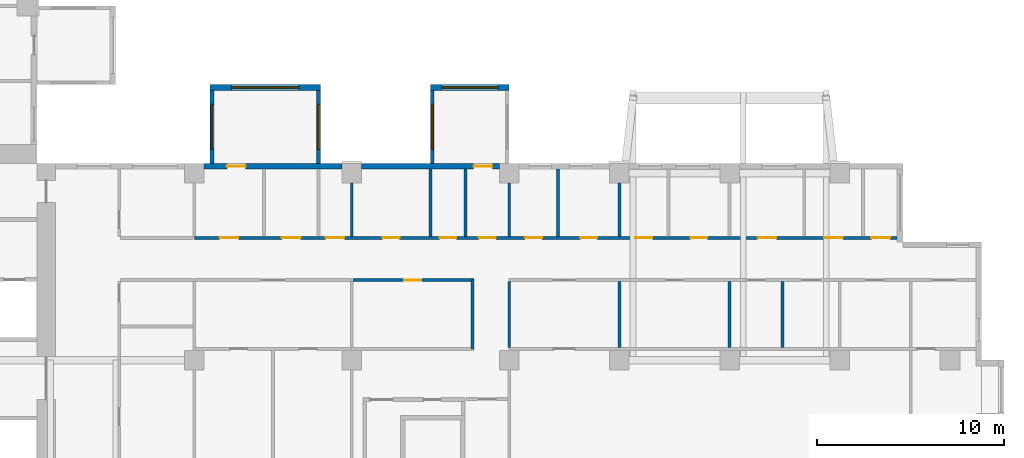
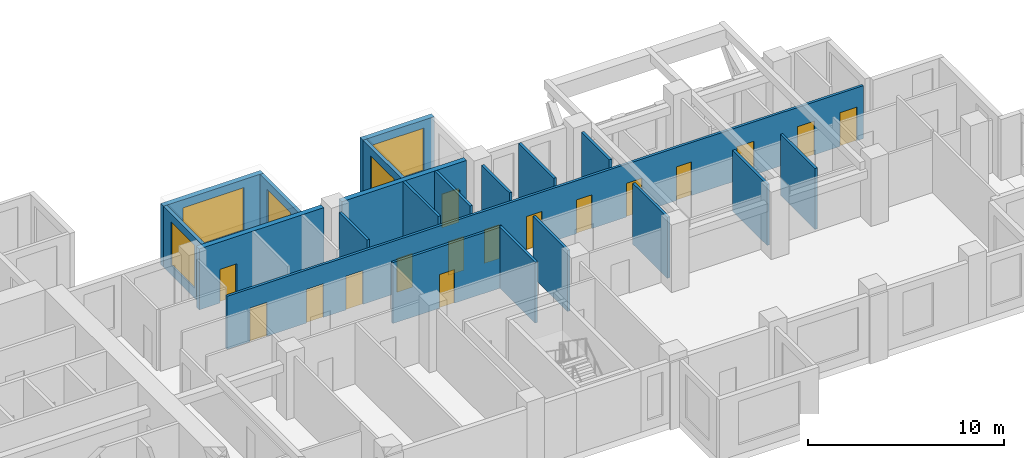
# One storey, part 5 of 15: 20 walls, 16 doors, 5 windows, 21 openings.
"""IFC4 building model written with IfcOpenShell, lengths in metres."""

from ifc_helpers import new_model, si_unit, direction, frame, frame_2d, origin, place, context, subcontext, project, spatial, rectangle, extrude, source, transform, mapped, material, layer, layer_set, type_object, element, fill, save


model = new_model("IFC4")

# Units and contexts
model_context = context("Model", 3, precision=1e-05, world=origin(), true_north=direction((0.0, 1.0)))
body_context = subcontext(model_context, "Body", "Model", "MODEL_VIEW")
ifc_project = project(units=[si_unit("LENGTHUNIT", "METRE"), si_unit("AREAUNIT", "SQUARE_METRE"), si_unit("VOLUMEUNIT", "CUBIC_METRE"), si_unit("PLANEANGLEUNIT", "RADIAN"), si_unit("MASSUNIT", "GRAM", prefix="KILO")], contexts=[model_context])

# Site, building, storey
site_placement = place(None, origin())
site = spatial("IfcSite", under=ifc_project, at=site_placement, CompositionType="ELEMENT")
building_placement = place(site_placement, origin())
building = spatial("IfcBuilding", under=site, at=building_placement, Name="Aurelian Terraces", CompositionType="ELEMENT")
storey_placement = place(building_placement, frame((0.0, 0.0, 107.7)))
storey = spatial("IfcBuildingStorey", under=building, at=storey_placement, Name="L23", CompositionType="ELEMENT", Elevation=107.7)

# Wall
ifc_material_1 = material(Name="Gypsum board on steel studs", Category="steel")
ifc_layer_1 = layer(ifc_material_1, 0.15)
ifc_layer_set_1 = layer_set([ifc_layer_1], Name="Partition 150")
wall_type_1 = type_object("IfcWallType", Name="Partition 150", PredefinedType="PARTITIONING", material=ifc_layer_set_1)
wall_1_placement = place(storey_placement, frame((44.25, 11.1, 0.0), z_axis=(0.0, 0.0, 1.0), x_axis=(0.0, 1.0, 0.0)))
element("IfcWall", 1, at=wall_1_placement, inside=storey, type_object=wall_type_1, Name="Partition", PredefinedType="PARTITIONING", context=body_context, shape_type="SweptSolid", body=[
    extrude(rectangle(XDim=3.675, YDim=0.15, at=frame_2d((1.8375, 0.0))), origin(), (0.0, 0.0, 1.0), 3.8),
])

# Wall, opening, window
ifc_material_2 = material(Name="Concrete fc' 40 MPa", Category="concrete")
ifc_layer_2 = layer(ifc_material_2, 0.2)
ifc_layer_set_2 = layer_set([ifc_layer_2], Name="BOX BEARING WALL 200")
wall_type_2 = type_object("IfcWallType", Name="BOX BEARING WALL 200", PredefinedType="SOLIDWALL", material=ifc_layer_set_2)
shared_shape_1 = source(origin(), body_context, "Body", "SweptSolid", [
    extrude(rectangle(XDim=3.9, YDim=0.2, at=frame_2d((1.95, 0.0))), origin(), (0.0, 0.0, 1.0), 3.8),
])
wall_2_placement = place(storey_placement, frame((36.02, 21.0, 0.0), z_axis=(0.0, 0.0, 1.0), x_axis=(0.0, 1.0, 0.0)))
wall_2 = element("IfcWall", 2, at=wall_2_placement, inside=storey, type_object=wall_type_2, Name="Box return L23 J29.1", PredefinedType="SOLIDWALL", context=body_context, shape_type="MappedRepresentation", body=[
    mapped(shared_shape_1, transform((0.0, 0.0, 0.0), scale=1.0)),
])
shared_shape_2 = source(origin(), body_context, "Body", "SweptSolid", [
    extrude(rectangle(XDim=2.4, YDim=2.7, at=frame_2d((1.2, 1.35))), frame((0.0, 0.11, 0.0), z_axis=(0.0, -1.0, 0.0), x_axis=(1.0, 0.0, 0.0)), (0.0, 0.0, 1.0), 0.22),
])
opening_1_placement = place(wall_2_placement, frame((0.75, 0.0, 0.6)))
opening_1 = element("IfcOpeningElement", 3, at=opening_1_placement, cuts=wall_2, Name="Opening W2427", PredefinedType="OPENING", context=body_context, shape_type="MappedRepresentation", body=[
    mapped(shared_shape_2, transform((0.0, 0.0, 0.0), scale=1.0)),
])
ifc_material_3 = material(Name="Clear glazing", Category="glass")
window_type_1 = type_object("IfcWindowType", Name="W-2400x2700", PartitioningType="SINGLE_PANEL", PredefinedType="WINDOW", material=ifc_material_3)
shared_shape_3 = source(origin(), body_context, "Body", "SweptSolid", [
    extrude(rectangle(XDim=2.4, YDim=2.7, at=frame_2d((1.2, 1.35))), frame((0.0, 0.03, 0.0), z_axis=(0.0, -1.0, 0.0), x_axis=(1.0, 0.0, 0.0)), (0.0, 0.0, 1.0), 0.06),
])
window_1_placement = place(opening_1_placement, origin())
window_1 = element("IfcWindow", 4, at=window_1_placement, inside=storey, type_object=window_type_1, Name="Window L23 J29-S1", OverallHeight=2.7, OverallWidth=2.4, PartitioningType="SINGLE_PANEL", PredefinedType="WINDOW", context=body_context, shape_type="MappedRepresentation", body=[
    mapped(shared_shape_3, transform((0.0, 0.0, 0.0), scale=1.0)),
])
fill(opening_1, window_1)

wall_3_placement = place(storey_placement, frame((30.34, 21.0, 0.0), z_axis=(0.0, 0.0, 1.0), x_axis=(0.0, 1.0, 0.0)))
wall_3 = element("IfcWall", 5, at=wall_3_placement, inside=storey, type_object=wall_type_2, Name="Box return L23 J29.2", PredefinedType="SOLIDWALL", context=body_context, shape_type="MappedRepresentation", body=[
    mapped(shared_shape_1, transform((0.0, 0.0, 0.0), scale=1.0)),
])
opening_2_placement = place(wall_3_placement, frame((0.75, 0.0, 0.6)))
opening_2 = element("IfcOpeningElement", 6, at=opening_2_placement, cuts=wall_3, Name="Opening W2427", PredefinedType="OPENING", context=body_context, shape_type="MappedRepresentation", body=[
    mapped(shared_shape_2, transform((0.0, 0.0, 0.0), scale=1.0)),
])
window_2_placement = place(opening_2_placement, origin())
window_2 = element("IfcWindow", 7, at=window_2_placement, inside=storey, type_object=window_type_1, Name="Window L23 J29-S2", OverallHeight=2.7, OverallWidth=2.4, PartitioningType="SINGLE_PANEL", PredefinedType="WINDOW", context=body_context, shape_type="MappedRepresentation", body=[
    mapped(shared_shape_3, transform((0.0, 0.0, 0.0), scale=1.0)),
])
fill(opening_2, window_2)

wall_4_placement = place(storey_placement, frame((42.1, 21.0, 0.0), z_axis=(0.0, 0.0, 1.0), x_axis=(0.0, 1.0, 0.0)))
wall_4 = element("IfcWall", 8, at=wall_4_placement, inside=storey, type_object=wall_type_2, Name="Box return L23 J30.2", PredefinedType="SOLIDWALL", context=body_context, shape_type="MappedRepresentation", body=[
    mapped(shared_shape_1, transform((0.0, 0.0, 0.0), scale=1.0)),
])
opening_3_placement = place(wall_4_placement, frame((0.75, 0.0, 0.6)))
opening_3 = element("IfcOpeningElement", 9, at=opening_3_placement, cuts=wall_4, Name="Opening W2427", PredefinedType="OPENING", context=body_context, shape_type="MappedRepresentation", body=[
    mapped(shared_shape_2, transform((0.0, 0.0, 0.0), scale=1.0)),
])
window_3_placement = place(opening_3_placement, origin())
window_3 = element("IfcWindow", 10, at=window_3_placement, inside=storey, type_object=window_type_1, Name="Window L23 J30-S2", OverallHeight=2.7, OverallWidth=2.4, PartitioningType="SINGLE_PANEL", PredefinedType="WINDOW", context=body_context, shape_type="MappedRepresentation", body=[
    mapped(shared_shape_3, transform((0.0, 0.0, 0.0), scale=1.0)),
])
fill(opening_3, window_3)

ifc_layer_3 = layer(ifc_material_2, 0.3)
ifc_layer_set_3 = layer_set([ifc_layer_3], Name="BOX BEARING WALL 300")
wall_type_3 = type_object("IfcWallType", Name="BOX BEARING WALL 300", PredefinedType="SOLIDWALL", material=ifc_layer_set_3)
shared_shape_4 = source(origin(), body_context, "Body", "SweptSolid", [
    extrude(rectangle(XDim=5.88, YDim=0.3, at=frame_2d((2.94, 0.0))), origin(), (0.0, 0.0, 1.0), 3.8),
])
wall_5_placement = place(storey_placement, frame((36.12, 25.05, 0.0), z_axis=(0.0, 0.0, 1.0), x_axis=(-1.0, 0.0, 0.0)))
wall_5 = element("IfcWall", 11, at=wall_5_placement, inside=storey, type_object=wall_type_3, Name="Box wall L23 J29", PredefinedType="SOLIDWALL", context=body_context, shape_type="MappedRepresentation", body=[
    mapped(shared_shape_4, transform((0.0, 0.0, 0.0), scale=1.0)),
])
shared_shape_5 = source(origin(), body_context, "Body", "SweptSolid", [
    extrude(rectangle(XDim=3.6, YDim=2.7, at=frame_2d((1.8, 1.35))), frame((0.0, 0.16, 0.0), z_axis=(0.0, -1.0, 0.0), x_axis=(1.0, 0.0, 0.0)), (0.0, 0.0, 1.0), 0.32),
])
opening_4_placement = place(wall_5_placement, frame((1.14, 0.0, 0.6)))
opening_4 = element("IfcOpeningElement", 12, at=opening_4_placement, cuts=wall_5, Name="Opening W3627", PredefinedType="OPENING", context=body_context, shape_type="MappedRepresentation", body=[
    mapped(shared_shape_5, transform((0.0, 0.0, 0.0), scale=1.0)),
])
window_type_2 = type_object("IfcWindowType", Name="W-3600x2700", PartitioningType="SINGLE_PANEL", PredefinedType="WINDOW", material=ifc_material_3)
shared_shape_6 = source(origin(), body_context, "Body", "SweptSolid", [
    extrude(rectangle(XDim=3.6, YDim=2.7, at=frame_2d((1.8, 1.35))), frame((0.0, 0.03, 0.0), z_axis=(0.0, -1.0, 0.0), x_axis=(1.0, 0.0, 0.0)), (0.0, 0.0, 1.0), 0.06),
])
window_4_placement = place(opening_4_placement, origin())
window_4 = element("IfcWindow", 13, at=window_4_placement, inside=storey, type_object=window_type_2, Name="Window L23 J29-F1", OverallHeight=2.7, OverallWidth=3.6, PartitioningType="SINGLE_PANEL", PredefinedType="WINDOW", context=body_context, shape_type="MappedRepresentation", body=[
    mapped(shared_shape_6, transform((0.0, 0.0, 0.0), scale=1.0)),
])
fill(opening_4, window_4)

shared_shape_7 = source(origin(), body_context, "Body", "SweptSolid", [
    extrude(rectangle(XDim=4.2, YDim=0.3, at=frame_2d((2.1, 0.0))), origin(), (0.0, 0.0, 1.0), 3.8),
])
wall_6_placement = place(storey_placement, frame((46.2, 25.05, 0.0), z_axis=(0.0, 0.0, 1.0), x_axis=(-1.0, 0.0, 0.0)))
wall_6 = element("IfcWall", 14, at=wall_6_placement, inside=storey, type_object=wall_type_3, Name="Box wall L23 J30", PredefinedType="SOLIDWALL", context=body_context, shape_type="MappedRepresentation", body=[
    mapped(shared_shape_7, transform((0.0, 0.0, 0.0), scale=1.0)),
])
shared_shape_8 = source(origin(), body_context, "Body", "SweptSolid", [
    extrude(rectangle(XDim=3.0, YDim=2.7, at=frame_2d((1.5, 1.35))), frame((0.0, 0.16, 0.0), z_axis=(0.0, -1.0, 0.0), x_axis=(1.0, 0.0, 0.0)), (0.0, 0.0, 1.0), 0.32),
])
opening_5_placement = place(wall_6_placement, frame((0.6, 0.0, 0.6)))
opening_5 = element("IfcOpeningElement", 15, at=opening_5_placement, cuts=wall_6, Name="Opening W3027", PredefinedType="OPENING", context=body_context, shape_type="MappedRepresentation", body=[
    mapped(shared_shape_8, transform((0.0, 0.0, 0.0), scale=1.0)),
])
window_type_3 = type_object("IfcWindowType", Name="W-3000x2700", PartitioningType="SINGLE_PANEL", PredefinedType="WINDOW", material=ifc_material_3)
shared_shape_9 = source(origin(), body_context, "Body", "SweptSolid", [
    extrude(rectangle(XDim=3.0, YDim=2.7, at=frame_2d((1.5, 1.35))), frame((0.0, 0.03, 0.0), z_axis=(0.0, -1.0, 0.0), x_axis=(1.0, 0.0, 0.0)), (0.0, 0.0, 1.0), 0.06),
])
window_5_placement = place(opening_5_placement, origin())
window_5 = element("IfcWindow", 16, at=window_5_placement, inside=storey, type_object=window_type_3, Name="Window L23 J30-F1", OverallHeight=2.7, OverallWidth=3.0, PartitioningType="SINGLE_PANEL", PredefinedType="WINDOW", context=body_context, shape_type="MappedRepresentation", body=[
    mapped(shared_shape_9, transform((0.0, 0.0, 0.0), scale=1.0)),
])
fill(opening_5, window_5)

# Wall, opening, door
ifc_material_4 = material(Name="Terracotta rainscreen cladding", Category="masonry")
ifc_layer_4 = layer(ifc_material_4, 0.3)
ifc_layer_set_4 = layer_set([ifc_layer_4], Name="EW-300")
wall_type_4 = type_object("IfcWallType", Name="EW-300", PredefinedType="STANDARD", material=ifc_layer_set_4)
shared_shape_10 = source(origin(), body_context, "Body", "SweptSolid", [
    extrude(rectangle(XDim=7.35, YDim=0.3, at=frame_2d((3.675, 0.0))), origin(), (0.0, 0.0, 1.0), 3.8),
])
wall_7_placement = place(storey_placement, frame((45.675, 20.85, 0.0), z_axis=(0.0, 0.0, 1.0), x_axis=(-1.0, 0.0, 0.0)))
wall_7 = element("IfcWall", 17, at=wall_7_placement, inside=storey, type_object=wall_type_4, Name="External wall L23 F07.20", PredefinedType="STANDARD", context=body_context, shape_type="MappedRepresentation", body=[
    mapped(shared_shape_10, transform((0.0, 0.0, 0.0), scale=1.0)),
])
shared_shape_11 = source(origin(), body_context, "Body", "SweptSolid", [
    extrude(rectangle(XDim=1.0, YDim=2.1, at=frame_2d((0.5, 1.05))), frame((0.0, 0.16, 0.0), z_axis=(0.0, -1.0, 0.0), x_axis=(1.0, 0.0, 0.0)), (0.0, 0.0, 1.0), 0.32),
])
opening_6_placement = place(wall_7_placement, frame((0.375, 0.0, 0.0)))
opening_6 = element("IfcOpeningElement", 18, at=opening_6_placement, cuts=wall_7, Name="Opening 823002", PredefinedType="OPENING", context=body_context, shape_type="MappedRepresentation", body=[
    mapped(shared_shape_11, transform((0.0, 0.0, 0.0), scale=1.0)),
])
ifc_material_5 = material(Name="Timber door leaf", Category="wood")
door_type_1 = type_object("IfcDoorType", Name="Room door 1000x2100 left", OperationType="SINGLE_SWING_LEFT", PredefinedType="DOOR", material=ifc_material_5)
shared_shape_12 = source(origin(), body_context, "Body", "SweptSolid", [
    extrude(rectangle(XDim=1.0, YDim=2.1, at=frame_2d((0.5, 1.05))), frame((0.0, 0.025, 0.0), z_axis=(0.0, -1.0, 0.0), x_axis=(1.0, 0.0, 0.0)), (0.0, 0.0, 1.0), 0.05),
])
door_1_placement = place(opening_6_placement, origin())
door_1 = element("IfcDoor", 19, at=door_1_placement, inside=storey, type_object=door_type_1, Name="Door 823002", OperationType="SINGLE_SWING_LEFT", OverallHeight=2.1, OverallWidth=1.0, PredefinedType="DOOR", context=body_context, shape_type="MappedRepresentation", body=[
    mapped(shared_shape_12, transform((0.0, 0.0, 0.0), scale=1.0)),
])
fill(opening_6, door_1)

wall_8_placement = place(storey_placement, frame((37.275, 20.85, 0.0), z_axis=(0.0, 0.0, 1.0), x_axis=(-1.0, 0.0, 0.0)))
wall_8 = element("IfcWall", 20, at=wall_8_placement, inside=storey, type_object=wall_type_4, Name="External wall L23 F07.20", PredefinedType="STANDARD", context=body_context, shape_type="MappedRepresentation", body=[
    mapped(shared_shape_10, transform((0.0, 0.0, 0.0), scale=1.0)),
])
opening_7_placement = place(wall_8_placement, frame((5.135, 0.0, 0.0)))
opening_7 = element("IfcOpeningElement", 21, at=opening_7_placement, cuts=wall_8, Name="Opening 823001", PredefinedType="OPENING", context=body_context, shape_type="MappedRepresentation", body=[
    mapped(shared_shape_11, transform((0.0, 0.0, 0.0), scale=1.0)),
])
door_2_placement = place(opening_7_placement, origin())
door_2 = element("IfcDoor", 22, at=door_2_placement, inside=storey, type_object=door_type_1, Name="Door 823001", OperationType="SINGLE_SWING_LEFT", OverallHeight=2.1, OverallWidth=1.0, PredefinedType="DOOR", context=body_context, shape_type="MappedRepresentation", body=[
    mapped(shared_shape_12, transform((0.0, 0.0, 0.0), scale=1.0)),
])
fill(opening_7, door_2)

ifc_layer_5 = layer(ifc_material_1, 0.15)
ifc_layer_set_5 = layer_set([ifc_layer_5], Name="Fire partition 150")
wall_type_5 = type_object("IfcWallType", Name="Fire partition 150", PredefinedType="PARTITIONING", material=ifc_layer_set_5)
shared_shape_13 = source(origin(), body_context, "Body", "SweptSolid", [
    extrude(rectangle(XDim=6.45, YDim=0.15, at=frame_2d((3.225, 0.0))), origin(), (0.0, 0.0, 1.0), 3.8),
])
wall_9_placement = place(storey_placement, frame((44.325, 14.775, 0.0), z_axis=(0.0, 0.0, 1.0), x_axis=(-1.0, 0.0, 0.0)))
wall_9 = element("IfcWall", 23, at=wall_9_placement, inside=storey, type_object=wall_type_5, Name="Corridor wall", PredefinedType="PARTITIONING", context=body_context, shape_type="MappedRepresentation", body=[
    mapped(shared_shape_13, transform((0.0, 0.0, 0.0), scale=1.0)),
])
shared_shape_14 = source(origin(), body_context, "Body", "SweptSolid", [
    extrude(rectangle(XDim=0.9, YDim=2.1, at=frame_2d((0.45, 1.05))), frame((0.0, 0.085, 0.0), z_axis=(0.0, -1.0, 0.0), x_axis=(1.0, 0.0, 0.0)), (0.0, 0.0, 1.0), 0.17),
])
opening_8_placement = place(wall_9_placement, frame((2.8125, 0.0, 0.0)))
opening_8 = element("IfcOpeningElement", 24, at=opening_8_placement, cuts=wall_9, Name="Opening 723005", PredefinedType="OPENING", context=body_context, shape_type="MappedRepresentation", body=[
    mapped(shared_shape_14, transform((0.0, 0.0, 0.0), scale=1.0)),
])
door_type_2 = type_object("IfcDoorType", Name="Room door 900x2100 right", OperationType="SINGLE_SWING_RIGHT", PredefinedType="DOOR", material=ifc_material_5)
shared_shape_15 = source(origin(), body_context, "Body", "SweptSolid", [
    extrude(rectangle(XDim=0.9, YDim=2.1, at=frame_2d((0.45, 1.05))), frame((0.0, 0.025, 0.0), z_axis=(0.0, -1.0, 0.0), x_axis=(1.0, 0.0, 0.0)), (0.0, 0.0, 1.0), 0.05),
])
door_3_placement = place(opening_8_placement, origin())
door_3 = element("IfcDoor", 25, at=door_3_placement, inside=storey, type_object=door_type_2, Name="Door 723005", OperationType="SINGLE_SWING_RIGHT", OverallHeight=2.1, OverallWidth=0.9, PredefinedType="DOOR", context=body_context, shape_type="MappedRepresentation", body=[
    mapped(shared_shape_15, transform((0.0, 0.0, 0.0), scale=1.0)),
])
fill(opening_8, door_3)

# Walls
shared_shape_16 = source(origin(), body_context, "Body", "SweptSolid", [
    extrude(rectangle(XDim=3.6, YDim=0.15, at=frame_2d((1.8, 0.0))), origin(), (0.0, 0.0, 1.0), 3.8),
])
for number, where, z_axis, x_axis, name in (
    (26, (43.8679, 20.7, 0.0), (0.0, 0.0, 1.0), (0.0, -1.0, 0.0), "Partition"),
    (27, (48.8116, 20.7, 0.0), (0.0, 0.0, 1.0), (0.0, -1.0, 0.0), "Partition"),
    (28, (42.0, 17.1, 0.0), (0.0, 0.0, 1.0), (0.0, 1.0, 0.0), "Partition"),
):
    element("IfcWall", number, at=place(storey_placement, frame(where, z_axis=z_axis, x_axis=x_axis)), inside=storey, type_object=wall_type_1, Name=name, PredefinedType="PARTITIONING", context=body_context, shape_type="MappedRepresentation", body=[
        mapped(shared_shape_16, transform((0.0, 0.0, 0.0), scale=1.0)),
    ])

# Wall, openings, doors
shared_shape_17 = source(origin(), body_context, "Body", "SweptSolid", [
    extrude(rectangle(XDim=37.5, YDim=0.15, at=frame_2d((18.75, 0.0))), origin(), (0.0, 0.0, 1.0), 3.3),
])
wall_10_placement = place(storey_placement, frame((29.4, 17.025, 0.0), z_axis=(0.0, 0.0, 1.0), x_axis=(1.0, 0.0, 0.0)))
wall_10 = element("IfcWall", 29, at=wall_10_placement, inside=storey, type_object=wall_type_5, Name="Corridor wall", PredefinedType="PARTITIONING", context=body_context, shape_type="MappedRepresentation", body=[
    mapped(shared_shape_17, transform((0.0, 0.0, 0.0), scale=1.0)),
])
shared_shape_18 = source(origin(), body_context, "Body", "SweptSolid", [
    extrude(rectangle(XDim=1.0, YDim=2.1, at=frame_2d((0.5, 1.05))), frame((0.0, 0.085, 0.0), z_axis=(0.0, -1.0, 0.0), x_axis=(1.0, 0.0, 0.0)), (0.0, 0.0, 1.0), 0.17),
])
opening_9_placement = place(wall_10_placement, frame((1.3567, 0.0, 0.0)))
opening_9 = element("IfcOpeningElement", 30, at=opening_9_placement, cuts=wall_10, Name="Opening 723018", PredefinedType="OPENING", context=body_context, shape_type="MappedRepresentation", body=[
    mapped(shared_shape_18, transform((0.0, 0.0, 0.0), scale=1.0)),
])
opening_10_placement = place(wall_10_placement, frame((4.6686, 0.0, 0.0)))
opening_10 = element("IfcOpeningElement", 31, at=opening_10_placement, cuts=wall_10, Name="Opening 723019", PredefinedType="OPENING", context=body_context, shape_type="MappedRepresentation", body=[
    mapped(shared_shape_18, transform((0.0, 0.0, 0.0), scale=1.0)),
])
opening_11_placement = place(wall_10_placement, frame((7.012, 0.0, 0.0)))
opening_11 = element("IfcOpeningElement", 32, at=opening_11_placement, cuts=wall_10, Name="Opening 723020", PredefinedType="OPENING", context=body_context, shape_type="MappedRepresentation", body=[
    mapped(shared_shape_18, transform((0.0, 0.0, 0.0), scale=1.0)),
])
opening_12_placement = place(wall_10_placement, frame((10.05, 0.0, 0.0)))
opening_12 = element("IfcOpeningElement", 33, at=opening_12_placement, cuts=wall_10, Name="Opening 723021", PredefinedType="OPENING", context=body_context, shape_type="MappedRepresentation", body=[
    mapped(shared_shape_14, transform((0.0, 0.0, 0.0), scale=1.0)),
])
opening_13_placement = place(wall_10_placement, frame((13.0839, 0.0, 0.0)))
opening_13 = element("IfcOpeningElement", 34, at=opening_13_placement, cuts=wall_10, Name="Opening 723022", PredefinedType="OPENING", context=body_context, shape_type="MappedRepresentation", body=[
    mapped(shared_shape_14, transform((0.0, 0.0, 0.0), scale=1.0)),
])
opening_14_placement = place(wall_10_placement, frame((15.1839, 0.0, 0.0)))
opening_14 = element("IfcOpeningElement", 35, at=opening_14_placement, cuts=wall_10, Name="Opening 723023", PredefinedType="OPENING", context=body_context, shape_type="MappedRepresentation", body=[
    mapped(shared_shape_14, transform((0.0, 0.0, 0.0), scale=1.0)),
])
opening_15_placement = place(wall_10_placement, frame((17.6558, 0.0, 0.0)))
opening_15 = element("IfcOpeningElement", 36, at=opening_15_placement, cuts=wall_10, Name="Opening 723024", PredefinedType="OPENING", context=body_context, shape_type="MappedRepresentation", body=[
    mapped(shared_shape_14, transform((0.0, 0.0, 0.0), scale=1.0)),
])
opening_16_placement = place(wall_10_placement, frame((20.5958, 0.0, 0.0)))
opening_16 = element("IfcOpeningElement", 37, at=opening_16_placement, cuts=wall_10, Name="Opening 723025", PredefinedType="OPENING", context=body_context, shape_type="MappedRepresentation", body=[
    mapped(shared_shape_14, transform((0.0, 0.0, 0.0), scale=1.0)),
])
opening_17_placement = place(wall_10_placement, frame((23.5358, 0.0, 0.0)))
opening_17 = element("IfcOpeningElement", 38, at=opening_17_placement, cuts=wall_10, Name="Opening 723026", PredefinedType="OPENING", context=body_context, shape_type="MappedRepresentation", body=[
    mapped(shared_shape_14, transform((0.0, 0.0, 0.0), scale=1.0)),
])
opening_18_placement = place(wall_10_placement, frame((26.4758, 0.0, 0.0)))
opening_18 = element("IfcOpeningElement", 39, at=opening_18_placement, cuts=wall_10, Name="Opening 723027", PredefinedType="OPENING", context=body_context, shape_type="MappedRepresentation", body=[
    mapped(shared_shape_14, transform((0.0, 0.0, 0.0), scale=1.0)),
])
opening_19_placement = place(wall_10_placement, frame((30.0523, 0.0, 0.0)))
opening_19 = element("IfcOpeningElement", 40, at=opening_19_placement, cuts=wall_10, Name="Opening 723028", PredefinedType="OPENING", context=body_context, shape_type="MappedRepresentation", body=[
    mapped(shared_shape_18, transform((0.0, 0.0, 0.0), scale=1.0)),
])
opening_20_placement = place(wall_10_placement, frame((33.6084, 0.0, 0.0)))
opening_20 = element("IfcOpeningElement", 41, at=opening_20_placement, cuts=wall_10, Name="Opening 723029", PredefinedType="OPENING", context=body_context, shape_type="MappedRepresentation", body=[
    mapped(shared_shape_18, transform((0.0, 0.0, 0.0), scale=1.0)),
])
opening_21_placement = place(wall_10_placement, frame((36.1236, 0.0, 0.0)))
opening_21 = element("IfcOpeningElement", 42, at=opening_21_placement, cuts=wall_10, Name="Opening 723030", PredefinedType="OPENING", context=body_context, shape_type="MappedRepresentation", body=[
    mapped(shared_shape_18, transform((0.0, 0.0, 0.0), scale=1.0)),
])
door_4_placement = place(opening_9_placement, origin())
door_4 = element("IfcDoor", 43, at=door_4_placement, inside=storey, type_object=door_type_1, Name="Door 723018", OperationType="SINGLE_SWING_LEFT", OverallHeight=2.1, OverallWidth=1.0, PredefinedType="DOOR", context=body_context, shape_type="MappedRepresentation", body=[
    mapped(shared_shape_12, transform((0.0, 0.0, 0.0), scale=1.0)),
])
fill(opening_9, door_4)
door_type_3 = type_object("IfcDoorType", Name="Room door 1000x2100 right", OperationType="SINGLE_SWING_RIGHT", PredefinedType="DOOR", material=ifc_material_5)
door_5_placement = place(opening_10_placement, origin())
door_5 = element("IfcDoor", 44, at=door_5_placement, inside=storey, type_object=door_type_3, Name="Door 723019", OperationType="SINGLE_SWING_RIGHT", OverallHeight=2.1, OverallWidth=1.0, PredefinedType="DOOR", context=body_context, shape_type="MappedRepresentation", body=[
    mapped(shared_shape_12, transform((0.0, 0.0, 0.0), scale=1.0)),
])
fill(opening_10, door_5)
door_6_placement = place(opening_11_placement, origin())
door_6 = element("IfcDoor", 45, at=door_6_placement, inside=storey, type_object=door_type_1, Name="Door 723020", OperationType="SINGLE_SWING_LEFT", OverallHeight=2.1, OverallWidth=1.0, PredefinedType="DOOR", context=body_context, shape_type="MappedRepresentation", body=[
    mapped(shared_shape_12, transform((0.0, 0.0, 0.0), scale=1.0)),
])
fill(opening_11, door_6)
door_7_placement = place(opening_19_placement, origin())
door_7 = element("IfcDoor", 46, at=door_7_placement, inside=storey, type_object=door_type_1, Name="Door 723028", OperationType="SINGLE_SWING_LEFT", OverallHeight=2.1, OverallWidth=1.0, PredefinedType="DOOR", context=body_context, shape_type="MappedRepresentation", body=[
    mapped(shared_shape_12, transform((0.0, 0.0, 0.0), scale=1.0)),
])
fill(opening_19, door_7)
door_8_placement = place(opening_20_placement, origin())
door_8 = element("IfcDoor", 47, at=door_8_placement, inside=storey, type_object=door_type_3, Name="Door 723029", OperationType="SINGLE_SWING_RIGHT", OverallHeight=2.1, OverallWidth=1.0, PredefinedType="DOOR", context=body_context, shape_type="MappedRepresentation", body=[
    mapped(shared_shape_12, transform((0.0, 0.0, 0.0), scale=1.0)),
])
fill(opening_20, door_8)
door_9_placement = place(opening_21_placement, origin())
door_9 = element("IfcDoor", 48, at=door_9_placement, inside=storey, type_object=door_type_1, Name="Door 723030", OperationType="SINGLE_SWING_LEFT", OverallHeight=2.1, OverallWidth=1.0, PredefinedType="DOOR", context=body_context, shape_type="MappedRepresentation", body=[
    mapped(shared_shape_12, transform((0.0, 0.0, 0.0), scale=1.0)),
])
fill(opening_21, door_9)
door_type_4 = type_object("IfcDoorType", Name="Room door 900x2100 left", OperationType="SINGLE_SWING_LEFT", PredefinedType="DOOR", material=ifc_material_5)
door_10_placement = place(opening_12_placement, origin())
door_10 = element("IfcDoor", 49, at=door_10_placement, inside=storey, type_object=door_type_4, Name="Door 723021", OperationType="SINGLE_SWING_LEFT", OverallHeight=2.1, OverallWidth=0.9, PredefinedType="DOOR", context=body_context, shape_type="MappedRepresentation", body=[
    mapped(shared_shape_15, transform((0.0, 0.0, 0.0), scale=1.0)),
])
fill(opening_12, door_10)
door_11_placement = place(opening_13_placement, origin())
door_11 = element("IfcDoor", 50, at=door_11_placement, inside=storey, type_object=door_type_4, Name="Door 723022", OperationType="SINGLE_SWING_LEFT", OverallHeight=2.1, OverallWidth=0.9, PredefinedType="DOOR", context=body_context, shape_type="MappedRepresentation", body=[
    mapped(shared_shape_15, transform((0.0, 0.0, 0.0), scale=1.0)),
])
fill(opening_13, door_11)
door_12_placement = place(opening_14_placement, origin())
door_12 = element("IfcDoor", 51, at=door_12_placement, inside=storey, type_object=door_type_2, Name="Door 723023", OperationType="SINGLE_SWING_RIGHT", OverallHeight=2.1, OverallWidth=0.9, PredefinedType="DOOR", context=body_context, shape_type="MappedRepresentation", body=[
    mapped(shared_shape_15, transform((0.0, 0.0, 0.0), scale=1.0)),
])
fill(opening_14, door_12)
door_13_placement = place(opening_15_placement, origin())
door_13 = element("IfcDoor", 52, at=door_13_placement, inside=storey, type_object=door_type_4, Name="Door 723024", OperationType="SINGLE_SWING_LEFT", OverallHeight=2.1, OverallWidth=0.9, PredefinedType="DOOR", context=body_context, shape_type="MappedRepresentation", body=[
    mapped(shared_shape_15, transform((0.0, 0.0, 0.0), scale=1.0)),
])
fill(opening_15, door_13)
door_14_placement = place(opening_16_placement, origin())
door_14 = element("IfcDoor", 53, at=door_14_placement, inside=storey, type_object=door_type_2, Name="Door 723025", OperationType="SINGLE_SWING_RIGHT", OverallHeight=2.1, OverallWidth=0.9, PredefinedType="DOOR", context=body_context, shape_type="MappedRepresentation", body=[
    mapped(shared_shape_15, transform((0.0, 0.0, 0.0), scale=1.0)),
])
fill(opening_16, door_14)
door_15_placement = place(opening_17_placement, origin())
door_15 = element("IfcDoor", 54, at=door_15_placement, inside=storey, type_object=door_type_4, Name="Door 723026", OperationType="SINGLE_SWING_LEFT", OverallHeight=2.1, OverallWidth=0.9, PredefinedType="DOOR", context=body_context, shape_type="MappedRepresentation", body=[
    mapped(shared_shape_15, transform((0.0, 0.0, 0.0), scale=1.0)),
])
fill(opening_17, door_15)
door_16_placement = place(opening_18_placement, origin())
door_16 = element("IfcDoor", 55, at=door_16_placement, inside=storey, type_object=door_type_2, Name="Door 723027", OperationType="SINGLE_SWING_RIGHT", OverallHeight=2.1, OverallWidth=0.9, PredefinedType="DOOR", context=body_context, shape_type="MappedRepresentation", body=[
    mapped(shared_shape_15, transform((0.0, 0.0, 0.0), scale=1.0)),
])
fill(opening_18, door_16)

# Walls
shared_shape_19 = source(origin(), body_context, "Body", "SweptSolid", [
    extrude(rectangle(XDim=2.851, YDim=0.15, at=frame_2d((1.4255, 0.0))), origin(), (0.0, 0.0, 1.0), 3.8),
])
for number, where, z_axis, x_axis, name in (
    (56, (37.8, 17.1, 0.0), (0.0, 0.0, 1.0), (0.0, 1.0, 0.0), "Partition"),
    (57, (46.2, 17.1, 0.0), (0.0, 0.0, 1.0), (0.0, 1.0, 0.0), "Partition"),
    (58, (52.08, 17.1, 0.0), (0.0, 0.0, 1.0), (0.0, 1.0, 0.0), "Partition"),
):
    element("IfcWall", number, at=place(storey_placement, frame(where, z_axis=z_axis, x_axis=x_axis)), inside=storey, type_object=wall_type_1, Name=name, PredefinedType="PARTITIONING", context=body_context, shape_type="MappedRepresentation", body=[
        mapped(shared_shape_19, transform((0.0, 0.0, 0.0), scale=1.0)),
    ])
shared_shape_20 = source(origin(), body_context, "Body", "SweptSolid", [
    extrude(rectangle(XDim=3.525, YDim=0.15, at=frame_2d((1.7625, 0.0))), origin(), (0.0, 0.0, 1.0), 3.8),
])
for number, where, z_axis, x_axis, name in (
    (59, (52.08, 11.175, 0.0), (0.0, 0.0, 1.0), (0.0, 1.0, 0.0), "Partition"),
    (60, (57.96, 11.175, 0.0), (0.0, 0.0, 1.0), (0.0, 1.0, 0.0), "Partition"),
    (61, (60.7836, 11.175, 0.0), (0.0, 0.0, 1.0), (0.0, 1.0, 0.0), "Partition"),
    (62, (46.2, 11.175, 0.0), (0.0, 0.0, 1.0), (0.0, 1.0, 0.0), "Partition"),
):
    element("IfcWall", number, at=place(storey_placement, frame(where, z_axis=z_axis, x_axis=x_axis)), inside=storey, type_object=wall_type_1, Name=name, PredefinedType="PARTITIONING", context=body_context, shape_type="MappedRepresentation", body=[
        mapped(shared_shape_20, transform((0.0, 0.0, 0.0), scale=1.0)),
    ])

save(model, "model.ifc")
